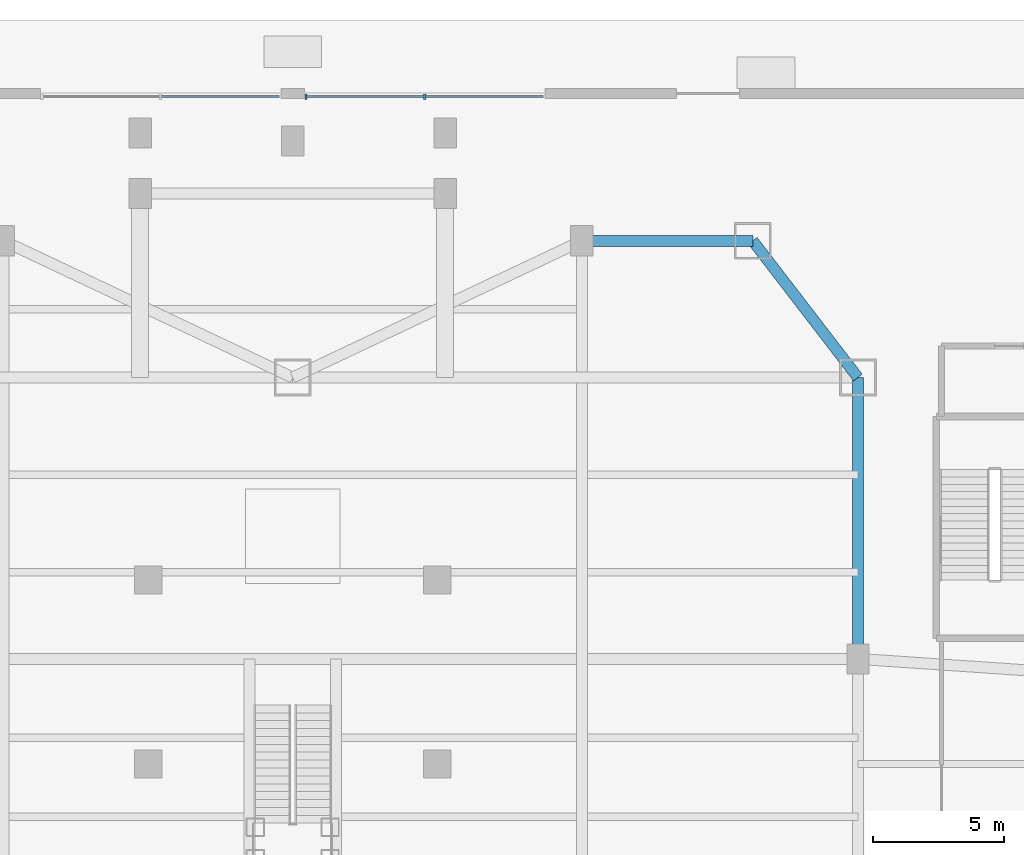
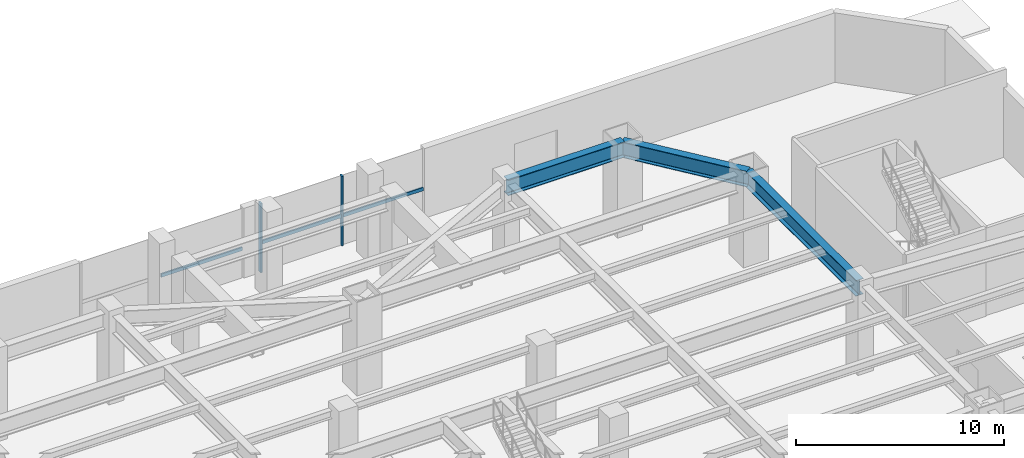
# One storey, part 3 of 11: 5 members, 3 beams, 2 elements without a shape of their own.
"""IFC4 building model written with IfcOpenShell, lengths in metres."""

from ifc_helpers import new_model, si_unit, direction, frame, origin, origin_2d, place, context, subcontext, project, spatial, rectangle, i_section, extrude, source, transform, mapped, material, material_profile, profile_set, type_object, type_shapes, element, aggregate, save


model = new_model("IFC4")

# Units and contexts
model_context = context("Model", 3, precision=1e-05, world=origin(), true_north=direction((0.0, 1.0)))
body_context = subcontext(model_context, "Body", "Model", "MODEL_VIEW")
ifc_project = project(units=[si_unit("LENGTHUNIT", "METRE"), si_unit("AREAUNIT", "SQUARE_METRE"), si_unit("VOLUMEUNIT", "CUBIC_METRE"), si_unit("PLANEANGLEUNIT", "RADIAN"), si_unit("MASSUNIT", "GRAM", prefix="KILO")], contexts=[model_context])

# Site, building, storey
site_placement = place(None, origin())
site = spatial("IfcSite", under=ifc_project, at=site_placement, CompositionType="ELEMENT")
building_placement = place(site_placement, origin())
building = spatial("IfcBuilding", under=site, at=building_placement, Name="Varnakhor Terracotta Tower", CompositionType="ELEMENT")
storey_placement = place(building_placement, origin())
storey = spatial("IfcBuildingStorey", under=building, at=storey_placement, Name="L00", CompositionType="ELEMENT", Elevation=0.0)

# Beams
ifc_material_1 = material(Name="Steel S355", Category="steel")
ifc_material_profile_1 = material_profile(ifc_material_1, i_section(OverallWidth=0.41796875, OverallDepth=0.927001953125, WebThickness=0.01904296875, FlangeThickness=0.031982421875, FilletRadius=0.01806640625, at=origin_2d()), Name="W36X231")
ifc_profile_set_1 = profile_set([ifc_material_profile_1], Name="Steel S355")
beam_type = type_object("IfcBeamType", Name="BM-W36X231", PredefinedType="BEAM", material=ifc_profile_set_1)
shared_shape_1 = source(origin(), body_context, "Body", "SweptSolid", [
    extrude(i_section(OverallWidth=0.41796875, OverallDepth=0.927001953125, WebThickness=0.01904296875, FlangeThickness=0.031982421875, FilletRadius=0.01806640625, at=origin_2d()), origin(), (0.0, 0.0, 1.0), 10.699951171875),
])
beam_1_placement = place(storey_placement, frame((21.5, 39.199951171875, 4.6865234375), z_axis=(0.0, -1.0, 0.0), x_axis=(1.0, 0.0, 0.0)))
element("IfcBeam", 1, at=beam_1_placement, inside=storey, type_object=beam_type, Name="L00 Podium Ring Girder 11", PredefinedType="BEAM", context=body_context, shape_type="MappedRepresentation", body=[
    mapped(shared_shape_1, transform((0.0, 0.0, 0.0), scale=1.0)),
])
shared_shape_2 = source(origin(), body_context, "Body", "SweptSolid", [
    extrude(i_section(OverallWidth=0.41796875, OverallDepth=0.927001953125, WebThickness=0.01904296875, FlangeThickness=0.031982421875, FilletRadius=0.01806640625, at=origin_2d()), origin(), (0.0, 0.0, 1.0), 6.560546875),
])
beam_2_placement = place(storey_placement, frame((17.5, 44.39990234375, 4.6865234375), z_axis=(0.609714357737, -0.792621222255, 0.0), x_axis=(0.792621222255, 0.609714357737, 0.0)))
element("IfcBeam", 2, at=beam_2_placement, inside=storey, type_object=beam_type, Name="L00 Podium Ring Girder 10", PredefinedType="BEAM", context=body_context, shape_type="MappedRepresentation", body=[
    mapped(shared_shape_2, transform((0.0, 0.0, 0.0), scale=1.0)),
])
shared_shape_3 = source(origin(), body_context, "Body", "SweptSolid", [
    extrude(i_section(OverallWidth=0.41796875, OverallDepth=0.927001953125, WebThickness=0.01904296875, FlangeThickness=0.031982421875, FilletRadius=0.01806640625, at=origin_2d()), origin(), (0.0, 0.0, 1.0), 6.5),
])
beam_3_placement = place(storey_placement, frame((11.0, 44.39990234375, 4.6865234375), z_axis=(1.0, 0.0, 0.0), x_axis=(0.0, 1.0, 0.0)))
element("IfcBeam", 3, at=beam_3_placement, inside=storey, type_object=beam_type, Name="L00 Podium Ring Girder 9", PredefinedType="BEAM", context=body_context, shape_type="MappedRepresentation", body=[
    mapped(shared_shape_3, transform((0.0, 0.0, 0.0), scale=1.0)),
])

# Curtain wall, members
ifc_material_2 = material(Name="Anodised Aluminium Curtain Wall System", Category="aluminium")
curtain_wall_type = type_object("IfcCurtainWallType", Name="CW-SYS-PODIUM", PredefinedType="NOTDEFINED", material=ifc_material_2)
curtain_wall_1_placement = place(storey_placement, origin())
curtain_wall_1 = element("IfcCurtainWall", 4, at=curtain_wall_1_placement, inside=storey, type_object=curtain_wall_type, Name="L00 North East Foyer Curtain Wall", PredefinedType="NOTDEFINED")
ifc_material_3 = material(Name="Anodised Aluminium 6063-T6", Category="aluminium")
ifc_material_profile_2 = material_profile(ifc_material_3, rectangle(XDim=0.0849609375, YDim=0.219970703125, at=origin_2d()), Name="ALU MULLION 85x220")
ifc_profile_set_2 = profile_set([ifc_material_profile_2], Name="Anodised Aluminium 6063-T6")
member_type_1 = type_object("IfcMemberType", Name="CWM-01", PredefinedType="MULLION", material=ifc_profile_set_2)
shared_shape_4 = source(origin(), body_context, "Body", "SweptSolid", [
    extrude(rectangle(XDim=0.0849609375, YDim=0.219970703125, at=origin_2d()), origin(), (0.0, 0.0, 1.0), 4.090087890625),
])
type_shapes(member_type_1, [shared_shape_4])
member_1_placement = place(storey_placement, frame((0.510009765625, 49.8798828125, 0.0), z_axis=(0.0, 0.0, 1.0), x_axis=(1.0, 0.0, 0.0)))
member_1 = element("IfcMember", 5, at=member_1_placement, type_object=member_type_1, Name="L00 North East Foyer Curtain Wall Mullion 1", PredefinedType="MULLION", context=body_context, shape_type="MappedRepresentation", body=[
    mapped(shared_shape_4, transform((0.0, 0.0, 0.0), scale=1.0)),
])
member_2_placement = place(storey_placement, frame((5.02490234375, 49.8798828125, 0.0), z_axis=(0.0, 0.0, 1.0), x_axis=(1.0, 0.0, 0.0)))
member_2 = element("IfcMember", 6, at=member_2_placement, type_object=member_type_1, Name="L00 North East Foyer Curtain Wall Mullion 2", PredefinedType="MULLION", context=body_context, shape_type="MappedRepresentation", body=[
    mapped(shared_shape_4, transform((0.0, 0.0, 0.0), scale=1.0)),
])
ifc_material_profile_3 = material_profile(ifc_material_3, rectangle(XDim=0.0849609375, YDim=0.199951171875, at=origin_2d()), Name="ALU TRANSOM 85x200")
ifc_profile_set_3 = profile_set([ifc_material_profile_3], Name="Anodised Aluminium 6063-T6")
member_type_2 = type_object("IfcMemberType", Name="CWT-01", PredefinedType="USERDEFINED", material=ifc_profile_set_3)
shared_shape_5 = source(origin(), body_context, "Body", "SweptSolid", [
    extrude(rectangle(XDim=0.0849609375, YDim=0.199951171875, at=origin_2d()), origin(), (0.0, 0.0, 1.0), 4.51513671875),
])
type_shapes(member_type_2, [shared_shape_5])
member_3_placement = place(storey_placement, frame((5.02490234375, 49.8798828125, 1.7177734375), z_axis=(1.0, 0.0, 0.0), x_axis=(0.0, 1.0, 0.0)))
member_3 = element("IfcMember", 7, at=member_3_placement, type_object=member_type_2, Name="L00 North East Foyer Curtain Wall Transom 2", ObjectType="TRANSOM", PredefinedType="USERDEFINED", context=body_context, shape_type="MappedRepresentation", body=[
    mapped(shared_shape_5, transform((0.0, 0.0, 0.0), scale=1.0)),
])

# Curtain wall, member
curtain_wall_2_placement = place(storey_placement, origin())
curtain_wall_2 = element("IfcCurtainWall", 8, at=curtain_wall_2_placement, inside=storey, type_object=curtain_wall_type, Name="L00 North West Foyer Curtain Wall", PredefinedType="NOTDEFINED")
shared_shape_6 = source(origin(), body_context, "Body", "SweptSolid", [
    extrude(rectangle(XDim=0.0849609375, YDim=0.199951171875, at=origin_2d()), origin(), (0.0, 0.0, 1.0), 4.514892578125),
])
member_4_placement = place(storey_placement, frame((-5.02490234375, 49.8798828125, 1.7177734375), z_axis=(1.0, 0.0, 0.0), x_axis=(0.0, 1.0, 0.0)))
member_4 = element("IfcMember", 9, at=member_4_placement, type_object=member_type_2, Name="L00 North West Foyer Curtain Wall Transom 2", ObjectType="TRANSOM", PredefinedType="USERDEFINED", context=body_context, shape_type="MappedRepresentation", body=[
    mapped(shared_shape_6, transform((0.0, 0.0, 0.0), scale=1.0)),
])
aggregate(curtain_wall_2, [member_4])

# Member
member_5_placement = place(storey_placement, frame((0.510009765625, 49.8798828125, 1.7177734375), z_axis=(1.0, 0.0, 0.0), x_axis=(0.0, 1.0, 0.0)))
member_5 = element("IfcMember", 10, at=member_5_placement, type_object=member_type_2, Name="L00 North East Foyer Curtain Wall Transom 1", ObjectType="TRANSOM", PredefinedType="USERDEFINED", context=body_context, shape_type="MappedRepresentation", body=[
    mapped(shared_shape_6, transform((0.0, 0.0, 0.0), scale=1.0)),
])

aggregate(curtain_wall_1, [member_1, member_5, member_2, member_3])

save(model, "model.ifc")
